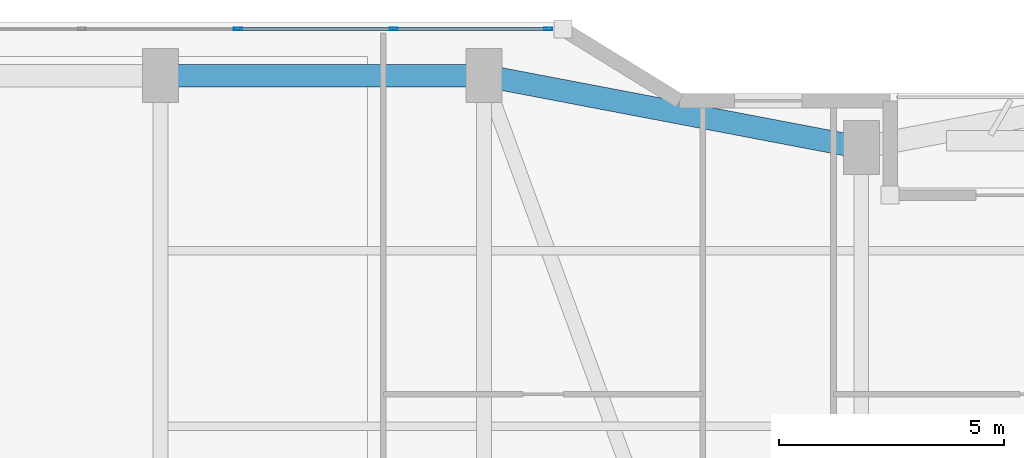
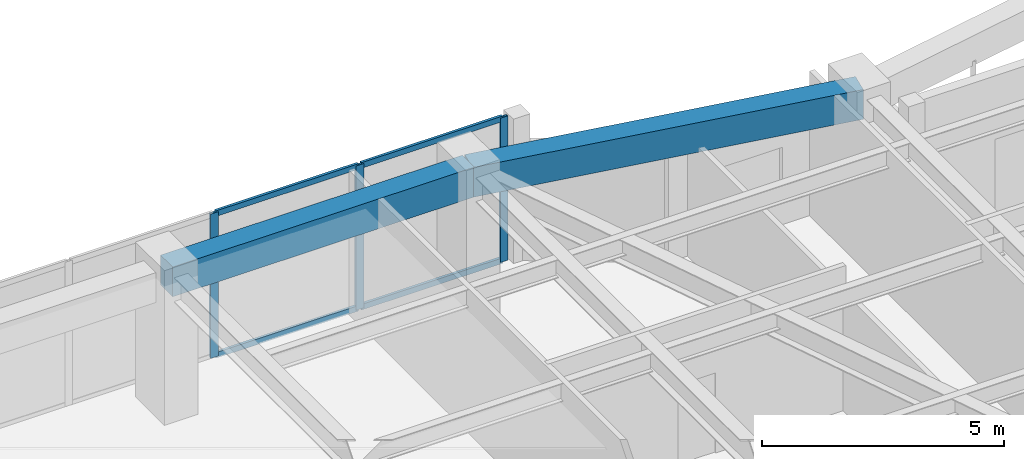
# One storey, part 14 of 24: 7 members, 2 beams, 1 element without a shape of its own.
"""IFC4 building model written with IfcOpenShell, lengths in metres."""

import ifcopenshell
import ifcopenshell.guid

model = None  # the IFC model being written
_history = None  # IfcOwnerHistory: only IFC2X3 demands one
_inside = {}  # id of a spatial element -> (the spatial element, [elements in it])
_under = {}  # id of a project, library or spatial element -> (it, [spatial elements below it])
_declared = {}  # id of a project -> (the project, [libraries it declares])
_typed = {}  # id of a type object -> (the type object, [elements of that type])
_made_of = {}  # id of a material, layer set ... -> (it, [elements and type objects made of it])


def new_model(schema):
    """Start an empty IFC model of exactly this schema.

    Asked for "IFC4X3", IfcOpenShell would pick the latest addendum, in which some entities
    have other attributes; the version numbers below select the first issue.
    IFC2X3 requires an IfcOwnerHistory on every rooted entity: one is made here for all.
    """
    global model, _history
    if schema == "IFC4X3":
        model = ifcopenshell.file(schema_version=(4, 3, 0, 0))
    else:
        model = ifcopenshell.file(schema=schema)
    _inside.clear()
    _under.clear()
    _declared.clear()
    _typed.clear()
    _made_of.clear()
    _history = None
    if model.schema == "IFC2X3":
        org = make("IfcOrganization", Name="unknown")
        user = make(
            "IfcPersonAndOrganization",
            ThePerson=make("IfcPerson", FamilyName="unknown"),
            TheOrganization=org,
        )
        app = make(
            "IfcApplication",
            ApplicationDeveloper=org,
            Version="unknown",
            ApplicationFullName="unknown",
            ApplicationIdentifier="unknown",
        )
        _history = make(
            "IfcOwnerHistory",
            OwningUser=user,
            OwningApplication=app,
            ChangeAction="ADDED",
            CreationDate=0,
        )
    return model


def make(cls, **values):
    """One entity of the class cls with the attributes given. An attribute that is None is left unset."""
    return model.create_entity(
        cls, **{name: value for name, value in values.items() if value is not None}
    )


def rooted(cls, **values):
    """An entity with a GlobalId (a new one), such as an element, a storey or a relation."""
    return make(cls, GlobalId=ifcopenshell.guid.new(), OwnerHistory=_history, **values)


def si_unit(unit_type, name, prefix=None):
    """IfcSIUnit, for example si_unit("LENGTHUNIT", "METRE", prefix="MILLI")."""
    return make("IfcSIUnit", UnitType=unit_type, Prefix=prefix, Name=name)


def assignment(units):
    """IfcUnitAssignment: the units of a project."""
    return None if units is None else make("IfcUnitAssignment", Units=units)


def point(xyz):
    """IfcCartesianPoint."""
    return None if xyz is None else make("IfcCartesianPoint", Coordinates=xyz)


def direction(xyz):
    """IfcDirection."""
    return None if xyz is None else make("IfcDirection", DirectionRatios=xyz)


def frame(location, z_axis=None, x_axis=None):
    """IfcAxis2Placement3D, a coordinate frame: its origin and axes. An axis left out is left unset."""
    return make(
        "IfcAxis2Placement3D",
        Location=point(location),
        Axis=direction(z_axis),
        RefDirection=direction(x_axis),
    )


def frame_2d(location, x_axis=None):
    """IfcAxis2Placement2D, a coordinate frame in the plane: its origin and x axis."""
    return make(
        "IfcAxis2Placement2D", Location=point(location), RefDirection=direction(x_axis)
    )


def origin():
    """The frame at (0, 0, 0) with its axes left unset."""
    return frame((0.0, 0.0, 0.0))


def origin_2d():
    """The frame at (0, 0) in the plane with its x axis left unset."""
    return frame_2d((0.0, 0.0))


def place(relative_to, where):
    """IfcLocalPlacement: puts the frame where relative to a parent placement (None: the world)."""
    return make(
        "IfcLocalPlacement", PlacementRelTo=relative_to, RelativePlacement=where
    )


def context(
    kind, dimensions, precision=None, world=None, true_north=None, identifier=None
):
    """IfcGeometricRepresentationContext, for example the 3D "Model" context."""
    return make(
        "IfcGeometricRepresentationContext",
        ContextIdentifier=identifier,
        ContextType=kind,
        CoordinateSpaceDimension=dimensions,
        Precision=precision,
        WorldCoordinateSystem=world,
        TrueNorth=true_north,
    )


def subcontext(parent, identifier, kind, view, scale=None):
    """IfcGeometricRepresentationSubContext, for example "Body" below "Model"."""
    return make(
        "IfcGeometricRepresentationSubContext",
        ContextIdentifier=identifier,
        ContextType=kind,
        ParentContext=parent,
        TargetScale=scale,
        TargetView=view,
    )


def project(units=None, contexts=None):
    """IfcProject with its units and contexts."""
    return rooted(
        "IfcProject",
        Name="project",
        RepresentationContexts=contexts,
        UnitsInContext=assignment(units),
    )


def spatial(cls, under=None, at=None, **own):
    """A site, building, storey or space (cls), placed at a placement, below another one or the project."""
    s = rooted(cls, ObjectPlacement=at, **own)
    if under is not None:
        _under.setdefault(under.id(), (under, []))[1].append(s)
    return s


def profile(cls, at=None, kind="AREA", **sizes):
    """A parametric profile (cls). Its sizes go by their IFC names, for example OverallWidth=200.0."""
    return make(cls, ProfileType=kind, Position=at, **sizes)


def rectangle(**sizes):
    """IfcRectangleProfileDef."""
    return profile("IfcRectangleProfileDef", **sizes)


def hollow_rectangle(**sizes):
    """IfcRectangleHollowProfileDef."""
    return profile("IfcRectangleHollowProfileDef", **sizes)


def extrude(swept, where, along, depth):
    """IfcExtrudedAreaSolid: the profile swept, set in the frame where, extruded along a direction by depth."""
    return make(
        "IfcExtrudedAreaSolid",
        SweptArea=swept,
        Position=where,
        ExtrudedDirection=direction(along),
        Depth=depth,
    )


def shape(context_of_items, identifier, shape_type, items):
    """IfcShapeRepresentation: the items that make up one representation, for example the "Body"."""
    return make(
        "IfcShapeRepresentation",
        ContextOfItems=context_of_items,
        RepresentationIdentifier=identifier,
        RepresentationType=shape_type,
        Items=items,
    )


def material(Name=None, Category=None):
    """IfcMaterial."""
    return make("IfcMaterial", Name=Name, Category=Category)


def layer(
    of_material, thickness, ventilated=None, Name=None, Category=None, Priority=None
):
    """IfcMaterialLayer: one layer of a wall or slab, of a material (None: an air gap)."""
    return make(
        "IfcMaterialLayer",
        Material=of_material,
        LayerThickness=thickness,
        IsVentilated=ventilated,
        Name=Name,
        Category=Category,
        Priority=Priority,
    )


def layer_set(layers, Name=None):
    """IfcMaterialLayerSet."""
    return make("IfcMaterialLayerSet", MaterialLayers=layers, LayerSetName=Name)


def material_profile(
    of_material, cross_section, Name=None, Category=None, Priority=None
):
    """IfcMaterialProfile: a cross section and its material."""
    return make(
        "IfcMaterialProfile",
        Name=Name,
        Material=of_material,
        Profile=cross_section,
        Priority=Priority,
        Category=Category,
    )


def profile_set(profiles, Name=None, composite=None):
    """IfcMaterialProfileSet."""
    return make(
        "IfcMaterialProfileSet",
        Name=Name,
        MaterialProfiles=profiles,
        CompositeProfile=composite,
    )


def made_of(thing, what):
    """Note that an element or type object is made of a material, layer set ...; save() writes the relation."""
    if what is not None:
        _made_of.setdefault(what.id(), (what, []))[1].append(thing)
    return thing


def type_object(cls, material=None, **own):
    """A type object (cls), such as IfcWallType, which elements share."""
    return made_of(rooted(cls, **own), material)


def element(
    cls,
    number,
    at=None,
    inside=None,
    cuts=None,
    type_object=None,
    material=None,
    context=None,
    identifier="Body",
    shape_type=None,
    held_by="IfcProductDefinitionShape",
    body=None,
    shapes=None,
    **own,
):
    """One element of the class cls, such as IfcWall. Its Tag is "e" and its number.

    at: its placement. inside: the storey or other place that contains it. cuts: it is an
    opening in that element (IfcRelVoidsElement). A single representation is given by context,
    identifier, shape_type and body (its items); several are given by shapes. held_by: the class
    of the entity that holds the representations. save() writes the other relations.
    """
    e = rooted(cls, Tag="e%d" % number, ObjectPlacement=at, **own)
    if body is not None:
        shapes = [shape(context, identifier, shape_type, body)]
    if shapes is not None:
        e.Representation = make(held_by, Representations=shapes)
    if inside is not None:
        _inside.setdefault(inside.id(), (inside, []))[1].append(e)
    if cuts is not None:
        rooted(
            "IfcRelVoidsElement", RelatingBuildingElement=cuts, RelatedOpeningElement=e
        )
    if type_object is not None:
        _typed.setdefault(type_object.id(), (type_object, []))[1].append(e)
    return made_of(e, material)


def aggregate(whole, parts):
    """IfcRelAggregates: a whole, such as a stair, and the parts it consists of."""
    return rooted("IfcRelAggregates", RelatingObject=whole, RelatedObjects=parts)


def save(model, path):
    """Write the relations noted so far, then the file.

    IfcRelAggregates (storeys below a building ...), IfcRelContainedInSpatialStructure (elements
    in a storey), IfcRelDefinesByType, IfcRelAssociatesMaterial and IfcRelDeclares: one each for
    every whole, place, type object, material and project.
    """
    for whole, parts in _under.values():
        aggregate(whole, parts)
    for where, things in _inside.values():
        rooted(
            "IfcRelContainedInSpatialStructure",
            RelatedElements=things,
            RelatingStructure=where,
        )
    for kind, things in _typed.values():
        rooted("IfcRelDefinesByType", RelatedObjects=things, RelatingType=kind)
    for what, things in _made_of.values():
        rooted("IfcRelAssociatesMaterial", RelatedObjects=things, RelatingMaterial=what)
    for by, libraries in _declared.values():
        rooted("IfcRelDeclares", RelatingContext=by, RelatedDefinitions=libraries)
    model.write(path)


model = new_model("IFC4")

# Units and contexts
model_context = context("Model", 3, precision=1e-05, world=origin(), true_north=direction((0.0, 1.0)))
body_context = subcontext(model_context, "Body", "Model", "MODEL_VIEW")
ifc_project = project(units=[si_unit("LENGTHUNIT", "METRE"), si_unit("AREAUNIT", "SQUARE_METRE"), si_unit("VOLUMEUNIT", "CUBIC_METRE"), si_unit("PLANEANGLEUNIT", "RADIAN"), si_unit("MASSUNIT", "GRAM", prefix="KILO")], contexts=[model_context])

# Site, building, storey
site_placement = place(None, origin())
site = spatial("IfcSite", under=ifc_project, at=site_placement, CompositionType="ELEMENT")
building_placement = place(site_placement, origin())
building = spatial("IfcBuilding", under=site, at=building_placement, Name="Kiyonajd Concourse Tower", CompositionType="ELEMENT")
storey_placement = place(building_placement, frame((0.0, 0.0, 133.800048828125)))
storey = spatial("IfcBuildingStorey", under=building, at=storey_placement, Name="L34", CompositionType="ELEMENT", Elevation=133.800048828125)

# Beams
ifc_material_1 = material(Name="Precast concrete C50/60", Category="concrete")
ifc_material_profile_1 = material_profile(ifc_material_1, rectangle(XDim=0.5, YDim=0.75, at=origin_2d()), Name="RCBM-500x750")
ifc_profile_set_1 = profile_set([ifc_material_profile_1], Name="Precast concrete C50/60")
beam_type = type_object("IfcBeamType", Name="BM-SPAN-RC", PredefinedType="SPANDREL", material=ifc_profile_set_1)
beam_1_placement = place(storey_placement, frame((48.0, 59.60009765625, 3.264892578125), z_axis=(-0.982341315253, 0.187097675953, 0.0), x_axis=(-0.187097675953, -0.982341315253, 0.0)))
element("IfcBeam", 1, at=beam_1_placement, inside=storey, type_object=beam_type, Name="L34 Perimeter Bundled Tube Spandrel", PredefinedType="SPANDREL", context=body_context, shape_type="SweptSolid", body=[
    extrude(rectangle(XDim=0.5, YDim=0.75, at=origin_2d()), origin(), (0.0, 0.0, 1.0), 8.55078125),
])
beam_2_placement = place(storey_placement, frame((39.60009765625, 61.199951171875, 3.264892578125), z_axis=(-1.0, 0.0, 0.0), x_axis=(0.0, -1.0, 0.0)))
element("IfcBeam", 2, at=beam_2_placement, inside=storey, type_object=beam_type, Name="L34 Perimeter Bundled Tube Spandrel", PredefinedType="SPANDREL", context=body_context, shape_type="SweptSolid", body=[
    extrude(rectangle(XDim=0.5, YDim=0.75, at=origin_2d()), origin(), (0.0, 0.0, 1.0), 7.2001953125),
])

# Curtain wall, members
ifc_material_2 = material(Name="Thermally Broken Anodised Aluminium", Category="aluminium")
ifc_layer = layer(ifc_material_2, 0.179931640625)
ifc_layer_set = layer_set([ifc_layer], Name="Thermally Broken Anodised Aluminium")
curtain_wall_type = type_object("IfcCurtainWallType", Name="CW-SYS-03", PredefinedType="NOTDEFINED", material=ifc_layer_set)
curtain_wall_placement = place(storey_placement, origin())
curtain_wall = element("IfcCurtainWall", 3, at=curtain_wall_placement, inside=storey, type_object=curtain_wall_type, Name="L34 Unitised Curtain Wall CW3", PredefinedType="NOTDEFINED")
ifc_material_profile_2 = material_profile(ifc_material_2, hollow_rectangle(XDim=0.06494140625, YDim=0.179931640625, WallThickness=0.00390625, at=origin_2d()), Name="MULL-65x180")
ifc_profile_set_2 = profile_set([ifc_material_profile_2], Name="Thermally Broken Anodised Aluminium")
member_type_1 = type_object("IfcMemberType", Name="MB-CW-MULL1", PredefinedType="MULLION", material=ifc_profile_set_2)
member_1_placement = place(storey_placement, frame((34.123291015625, 62.239990234375, 0.0), z_axis=(0.0, 0.0, 1.0), x_axis=(0.0, 1.0, 0.0)))
member_1 = element("IfcMember", 4, at=member_1_placement, type_object=member_type_1, Name="CW3 mullion 4", PredefinedType="MULLION", context=body_context, shape_type="SweptSolid", body=[
    extrude(hollow_rectangle(XDim=0.06494140625, YDim=0.179931640625, WallThickness=0.00390625, at=origin_2d()), origin(), (0.0, 0.0, 1.0), 3.639892578125),
])
member_2_placement = place(storey_placement, frame((37.593994140625, 62.239990234375, 0.0), z_axis=(0.0, 0.0, 1.0), x_axis=(0.0, 1.0, 0.0)))
member_2 = element("IfcMember", 5, at=member_2_placement, type_object=member_type_1, Name="CW3 mullion 5", PredefinedType="MULLION", context=body_context, shape_type="SweptSolid", body=[
    extrude(hollow_rectangle(XDim=0.06494140625, YDim=0.179931640625, WallThickness=0.00390625, at=origin_2d()), origin(), (0.0, 0.0, 1.0), 3.639892578125),
])
member_3_placement = place(storey_placement, frame((41.0322265625, 62.239990234375, 0.0), z_axis=(0.0, 0.0, 1.0), x_axis=(0.0, 1.0, 0.0)))
member_3 = element("IfcMember", 6, at=member_3_placement, type_object=member_type_1, Name="CW3 mullion 6", PredefinedType="MULLION", context=body_context, shape_type="SweptSolid", body=[
    extrude(hollow_rectangle(XDim=0.06494140625, YDim=0.179931640625, WallThickness=0.00390625, at=origin_2d()), origin(), (0.0, 0.0, 1.0), 3.639892578125),
])
ifc_material_profile_3 = material_profile(ifc_material_2, hollow_rectangle(XDim=0.06494140625, YDim=0.139892578125, WallThickness=0.00390625, at=origin_2d()), Name="TRAN-65x140")
ifc_profile_set_3 = profile_set([ifc_material_profile_3], Name="Thermally Broken Anodised Aluminium")
member_type_2 = type_object("IfcMemberType", Name="MB-CW-TRAN1", PredefinedType="USERDEFINED", material=ifc_profile_set_3)
member_4_placement = place(storey_placement, frame((34.15576171875, 62.239990234375, 0.032470703125), z_axis=(1.0, 0.0, 0.0), x_axis=(0.0, 1.0, 0.0)))
member_4 = element("IfcMember", 7, at=member_4_placement, type_object=member_type_2, Name="CW3 transom 4.1", ObjectType="TRANSOM", PredefinedType="USERDEFINED", context=body_context, shape_type="SweptSolid", body=[
    extrude(hollow_rectangle(XDim=0.06494140625, YDim=0.139892578125, WallThickness=0.00390625, at=origin_2d()), origin(), (0.0, 0.0, 1.0), 3.40576171875),
])
member_5_placement = place(storey_placement, frame((34.15576171875, 62.239990234375, 3.607421875), z_axis=(1.0, 0.0, 0.0), x_axis=(0.0, 1.0, 0.0)))
member_5 = element("IfcMember", 8, at=member_5_placement, type_object=member_type_2, Name="CW3 transom 4.2", ObjectType="TRANSOM", PredefinedType="USERDEFINED", context=body_context, shape_type="SweptSolid", body=[
    extrude(hollow_rectangle(XDim=0.06494140625, YDim=0.139892578125, WallThickness=0.00390625, at=origin_2d()), origin(), (0.0, 0.0, 1.0), 3.40576171875),
])
member_6_placement = place(storey_placement, frame((37.62646484375, 62.239990234375, 0.032470703125), z_axis=(1.0, 0.0, 0.0), x_axis=(0.0, 1.0, 0.0)))
member_6 = element("IfcMember", 9, at=member_6_placement, type_object=member_type_2, Name="CW3 transom 5.1", ObjectType="TRANSOM", PredefinedType="USERDEFINED", context=body_context, shape_type="SweptSolid", body=[
    extrude(hollow_rectangle(XDim=0.06494140625, YDim=0.139892578125, WallThickness=0.00390625, at=origin_2d()), origin(), (0.0, 0.0, 1.0), 3.373291015625),
])
member_7_placement = place(storey_placement, frame((37.62646484375, 62.239990234375, 3.607421875), z_axis=(1.0, 0.0, 0.0), x_axis=(0.0, 1.0, 0.0)))
member_7 = element("IfcMember", 10, at=member_7_placement, type_object=member_type_2, Name="CW3 transom 5.2", ObjectType="TRANSOM", PredefinedType="USERDEFINED", context=body_context, shape_type="SweptSolid", body=[
    extrude(hollow_rectangle(XDim=0.06494140625, YDim=0.139892578125, WallThickness=0.00390625, at=origin_2d()), origin(), (0.0, 0.0, 1.0), 3.373291015625),
])
aggregate(curtain_wall, [member_1, member_2, member_3, member_4, member_5, member_6, member_7])

save(model, "model.ifc")
